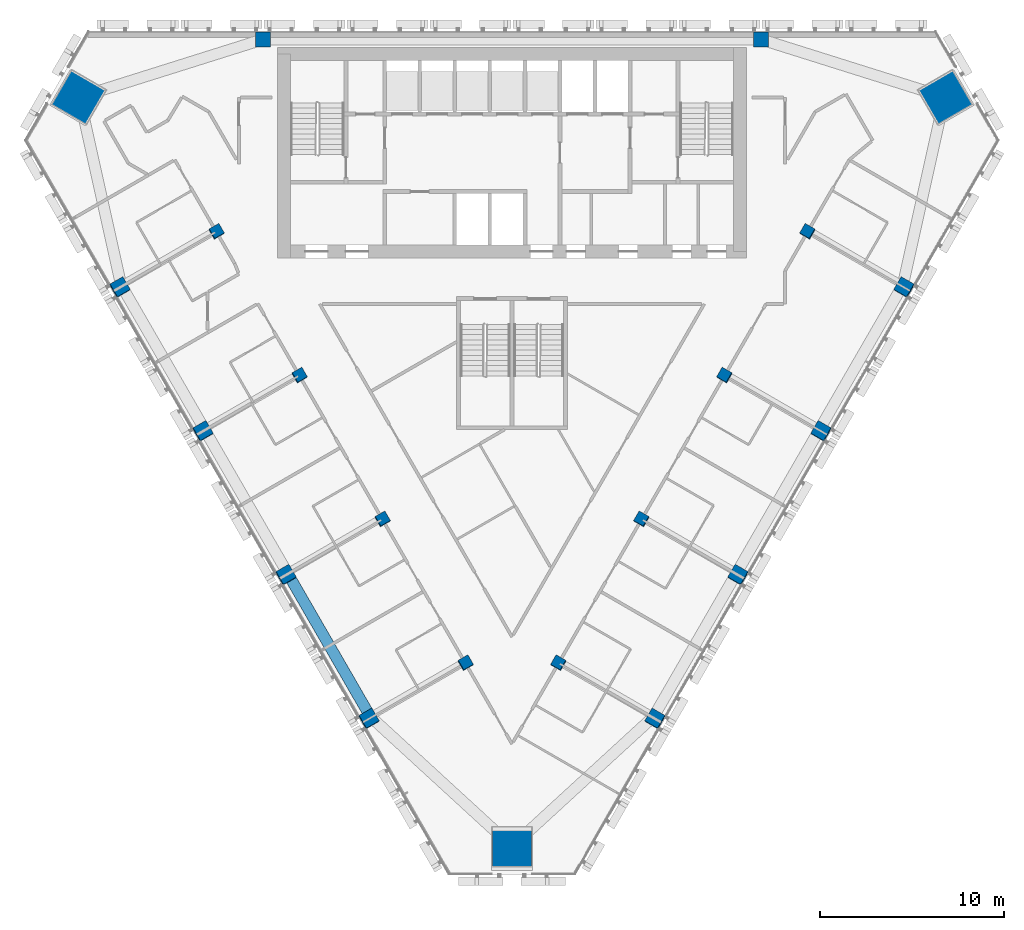
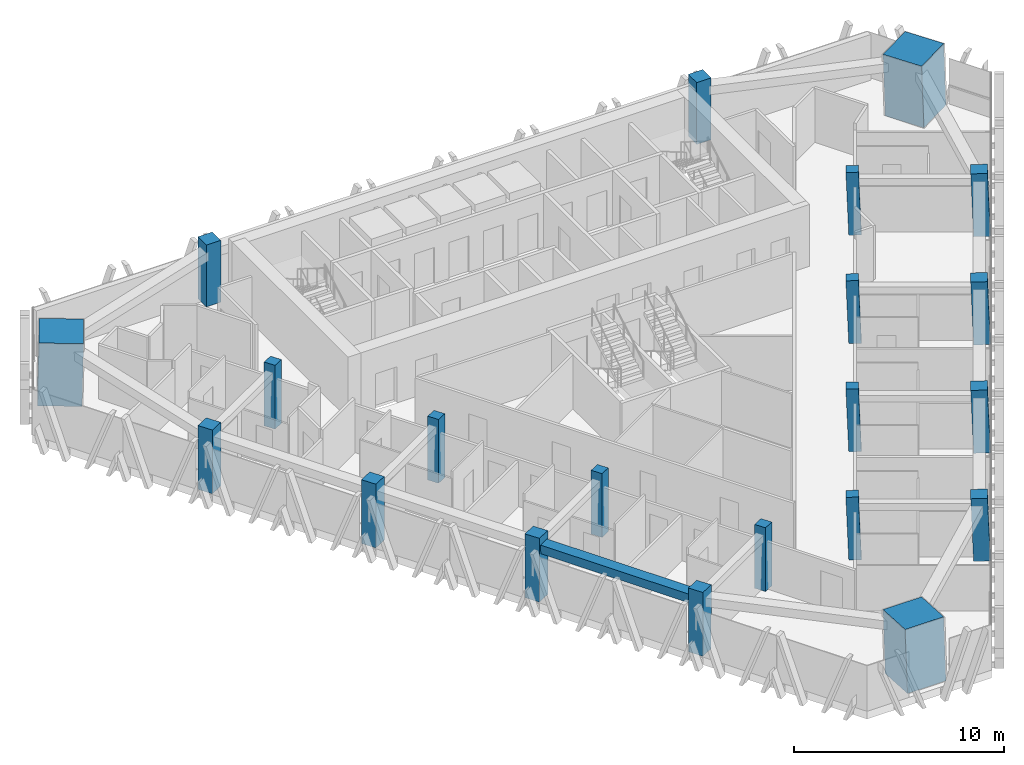
# One storey, part 1 of 16: 21 columns, 1 beam.
"""IFC4 building model written with IfcOpenShell, lengths in metres."""

import ifcopenshell
import ifcopenshell.guid

model = None  # the IFC model being written
_history = None  # IfcOwnerHistory: only IFC2X3 demands one
_inside = {}  # id of a spatial element -> (the spatial element, [elements in it])
_under = {}  # id of a project, library or spatial element -> (it, [spatial elements below it])
_declared = {}  # id of a project -> (the project, [libraries it declares])
_typed = {}  # id of a type object -> (the type object, [elements of that type])
_made_of = {}  # id of a material, layer set ... -> (it, [elements and type objects made of it])


def new_model(schema):
    """Start an empty IFC model of exactly this schema.

    Asked for "IFC4X3", IfcOpenShell would pick the latest addendum, in which some entities
    have other attributes; the version numbers below select the first issue.
    IFC2X3 requires an IfcOwnerHistory on every rooted entity: one is made here for all.
    """
    global model, _history
    if schema == "IFC4X3":
        model = ifcopenshell.file(schema_version=(4, 3, 0, 0))
    else:
        model = ifcopenshell.file(schema=schema)
    _inside.clear()
    _under.clear()
    _declared.clear()
    _typed.clear()
    _made_of.clear()
    _history = None
    if model.schema == "IFC2X3":
        org = make("IfcOrganization", Name="unknown")
        user = make(
            "IfcPersonAndOrganization",
            ThePerson=make("IfcPerson", FamilyName="unknown"),
            TheOrganization=org,
        )
        app = make(
            "IfcApplication",
            ApplicationDeveloper=org,
            Version="unknown",
            ApplicationFullName="unknown",
            ApplicationIdentifier="unknown",
        )
        _history = make(
            "IfcOwnerHistory",
            OwningUser=user,
            OwningApplication=app,
            ChangeAction="ADDED",
            CreationDate=0,
        )
    return model


def make(cls, **values):
    """One entity of the class cls with the attributes given. An attribute that is None is left unset."""
    return model.create_entity(
        cls, **{name: value for name, value in values.items() if value is not None}
    )


def rooted(cls, **values):
    """An entity with a GlobalId (a new one), such as an element, a storey or a relation."""
    return make(cls, GlobalId=ifcopenshell.guid.new(), OwnerHistory=_history, **values)


def si_unit(unit_type, name, prefix=None):
    """IfcSIUnit, for example si_unit("LENGTHUNIT", "METRE", prefix="MILLI")."""
    return make("IfcSIUnit", UnitType=unit_type, Prefix=prefix, Name=name)


def assignment(units):
    """IfcUnitAssignment: the units of a project."""
    return None if units is None else make("IfcUnitAssignment", Units=units)


def point(xyz):
    """IfcCartesianPoint."""
    return None if xyz is None else make("IfcCartesianPoint", Coordinates=xyz)


def direction(xyz):
    """IfcDirection."""
    return None if xyz is None else make("IfcDirection", DirectionRatios=xyz)


def frame(location, z_axis=None, x_axis=None):
    """IfcAxis2Placement3D, a coordinate frame: its origin and axes. An axis left out is left unset."""
    return make(
        "IfcAxis2Placement3D",
        Location=point(location),
        Axis=direction(z_axis),
        RefDirection=direction(x_axis),
    )


def frame_2d(location, x_axis=None):
    """IfcAxis2Placement2D, a coordinate frame in the plane: its origin and x axis."""
    return make(
        "IfcAxis2Placement2D", Location=point(location), RefDirection=direction(x_axis)
    )


def origin():
    """The frame at (0, 0, 0) with its axes left unset."""
    return frame((0.0, 0.0, 0.0))


def origin_2d():
    """The frame at (0, 0) in the plane with its x axis left unset."""
    return frame_2d((0.0, 0.0))


def place(relative_to, where):
    """IfcLocalPlacement: puts the frame where relative to a parent placement (None: the world)."""
    return make(
        "IfcLocalPlacement", PlacementRelTo=relative_to, RelativePlacement=where
    )


def context(
    kind, dimensions, precision=None, world=None, true_north=None, identifier=None
):
    """IfcGeometricRepresentationContext, for example the 3D "Model" context."""
    return make(
        "IfcGeometricRepresentationContext",
        ContextIdentifier=identifier,
        ContextType=kind,
        CoordinateSpaceDimension=dimensions,
        Precision=precision,
        WorldCoordinateSystem=world,
        TrueNorth=true_north,
    )


def subcontext(parent, identifier, kind, view, scale=None):
    """IfcGeometricRepresentationSubContext, for example "Body" below "Model"."""
    return make(
        "IfcGeometricRepresentationSubContext",
        ContextIdentifier=identifier,
        ContextType=kind,
        ParentContext=parent,
        TargetScale=scale,
        TargetView=view,
    )


def project(units=None, contexts=None):
    """IfcProject with its units and contexts."""
    return rooted(
        "IfcProject",
        Name="project",
        RepresentationContexts=contexts,
        UnitsInContext=assignment(units),
    )


def spatial(cls, under=None, at=None, **own):
    """A site, building, storey or space (cls), placed at a placement, below another one or the project."""
    s = rooted(cls, ObjectPlacement=at, **own)
    if under is not None:
        _under.setdefault(under.id(), (under, []))[1].append(s)
    return s


def profile(cls, at=None, kind="AREA", **sizes):
    """A parametric profile (cls). Its sizes go by their IFC names, for example OverallWidth=200.0."""
    return make(cls, ProfileType=kind, Position=at, **sizes)


def rectangle(**sizes):
    """IfcRectangleProfileDef."""
    return profile("IfcRectangleProfileDef", **sizes)


def extrude(swept, where, along, depth):
    """IfcExtrudedAreaSolid: the profile swept, set in the frame where, extruded along a direction by depth."""
    return make(
        "IfcExtrudedAreaSolid",
        SweptArea=swept,
        Position=where,
        ExtrudedDirection=direction(along),
        Depth=depth,
    )


def shape(context_of_items, identifier, shape_type, items):
    """IfcShapeRepresentation: the items that make up one representation, for example the "Body"."""
    return make(
        "IfcShapeRepresentation",
        ContextOfItems=context_of_items,
        RepresentationIdentifier=identifier,
        RepresentationType=shape_type,
        Items=items,
    )


def material(Name=None, Category=None):
    """IfcMaterial."""
    return make("IfcMaterial", Name=Name, Category=Category)


def material_profile(
    of_material, cross_section, Name=None, Category=None, Priority=None
):
    """IfcMaterialProfile: a cross section and its material."""
    return make(
        "IfcMaterialProfile",
        Name=Name,
        Material=of_material,
        Profile=cross_section,
        Priority=Priority,
        Category=Category,
    )


def profile_set(profiles, Name=None, composite=None):
    """IfcMaterialProfileSet."""
    return make(
        "IfcMaterialProfileSet",
        Name=Name,
        MaterialProfiles=profiles,
        CompositeProfile=composite,
    )


def made_of(thing, what):
    """Note that an element or type object is made of a material, layer set ...; save() writes the relation."""
    if what is not None:
        _made_of.setdefault(what.id(), (what, []))[1].append(thing)
    return thing


def type_object(cls, material=None, **own):
    """A type object (cls), such as IfcWallType, which elements share."""
    return made_of(rooted(cls, **own), material)


def element(
    cls,
    number,
    at=None,
    inside=None,
    cuts=None,
    type_object=None,
    material=None,
    context=None,
    identifier="Body",
    shape_type=None,
    held_by="IfcProductDefinitionShape",
    body=None,
    shapes=None,
    **own,
):
    """One element of the class cls, such as IfcWall. Its Tag is "e" and its number.

    at: its placement. inside: the storey or other place that contains it. cuts: it is an
    opening in that element (IfcRelVoidsElement). A single representation is given by context,
    identifier, shape_type and body (its items); several are given by shapes. held_by: the class
    of the entity that holds the representations. save() writes the other relations.
    """
    e = rooted(cls, Tag="e%d" % number, ObjectPlacement=at, **own)
    if body is not None:
        shapes = [shape(context, identifier, shape_type, body)]
    if shapes is not None:
        e.Representation = make(held_by, Representations=shapes)
    if inside is not None:
        _inside.setdefault(inside.id(), (inside, []))[1].append(e)
    if cuts is not None:
        rooted(
            "IfcRelVoidsElement", RelatingBuildingElement=cuts, RelatedOpeningElement=e
        )
    if type_object is not None:
        _typed.setdefault(type_object.id(), (type_object, []))[1].append(e)
    return made_of(e, material)


def aggregate(whole, parts):
    """IfcRelAggregates: a whole, such as a stair, and the parts it consists of."""
    return rooted("IfcRelAggregates", RelatingObject=whole, RelatedObjects=parts)


def save(model, path):
    """Write the relations noted so far, then the file.

    IfcRelAggregates (storeys below a building ...), IfcRelContainedInSpatialStructure (elements
    in a storey), IfcRelDefinesByType, IfcRelAssociatesMaterial and IfcRelDeclares: one each for
    every whole, place, type object, material and project.
    """
    for whole, parts in _under.values():
        aggregate(whole, parts)
    for where, things in _inside.values():
        rooted(
            "IfcRelContainedInSpatialStructure",
            RelatedElements=things,
            RelatingStructure=where,
        )
    for kind, things in _typed.values():
        rooted("IfcRelDefinesByType", RelatedObjects=things, RelatingType=kind)
    for what, things in _made_of.values():
        rooted("IfcRelAssociatesMaterial", RelatedObjects=things, RelatingMaterial=what)
    for by, libraries in _declared.values():
        rooted("IfcRelDeclares", RelatingContext=by, RelatedDefinitions=libraries)
    model.write(path)


model = new_model("IFC4")

# Units and contexts
model_context = context("Model", 3, precision=1e-05, world=origin(), true_north=direction((0.0, 1.0)))
body_context = subcontext(model_context, "Body", "Model", "MODEL_VIEW")
ifc_project = project(units=[si_unit("LENGTHUNIT", "METRE"), si_unit("AREAUNIT", "SQUARE_METRE"), si_unit("VOLUMEUNIT", "CUBIC_METRE"), si_unit("PLANEANGLEUNIT", "RADIAN"), si_unit("MASSUNIT", "GRAM", prefix="KILO")], contexts=[model_context])

# Site, building, storey
site_placement = place(None, origin())
site = spatial("IfcSite", under=ifc_project, at=site_placement, CompositionType="ELEMENT")
building_placement = place(site_placement, origin())
building = spatial("IfcBuilding", under=site, at=building_placement, Name="Altiplano Prism Tower", CompositionType="ELEMENT")
storey_placement = place(building_placement, frame((0.0, 0.0, 174.60009765625)))
storey = spatial("IfcBuildingStorey", under=building, at=storey_placement, Name="L45", CompositionType="ELEMENT", Elevation=174.60009765625)

# Columns
ifc_material_1 = material(Name="Concrete C60/75", Category="concrete")
ifc_material_profile_1 = material_profile(ifc_material_1, rectangle(XDim=0.60009765625, YDim=0.60009765625, at=origin_2d()), Name="Inner column 600")
ifc_profile_set_1 = profile_set([ifc_material_profile_1], Name="Concrete C60/75")
column_type_1 = type_object("IfcColumnType", Name="Inner column 600", PredefinedType="COLUMN", material=ifc_profile_set_1)
for number, where, z_axis, x_axis, name in (
    (1, (68.9716796875, 94.12109375, -0.018310546875), (0.022221406801, 0.038413224561, 0.999014831351), (-0.866025617206, -0.498520426688, 0.038431946587), "Inner column I11 L45"),
    (2, (73.4716796875, 86.326904296875, -0.018310546875), (0.022221406801, 0.038413224561, 0.999014831351), (-0.866024056676, -0.498523132273, 0.038432015909), "Inner column I12 L45"),
    (3, (77.9716796875, 78.532470703125, -0.018310546875), (0.02222134892, 0.038480872521, 0.999012229206), (-0.865639410047, -0.499186822153, 0.038482832055), "Inner column I13 L45"),
    (4, (82.4716796875, 70.73828125, -0.018310546875), (0.02222134892, 0.038480872521, 0.999012229206), (-0.865637856157, -0.49918951142, 0.038482901079), "Inner column I14 L45"),
    (5, (87.5283203125, 70.73828125, -0.018310546875), (-0.02222134892, 0.038480872521, 0.999012229206), (-0.500177282211, -0.865637946337, 0.022217835681), "Inner column I21 L45"),
    (6, (92.0283203125, 78.532470703125, -0.018310546875), (-0.02222134892, 0.038480872521, 0.999012229206), (-0.500174592943, -0.865639497158, 0.022217955235), "Inner column I22 L45"),
    (7, (96.5283203125, 86.326904296875, -0.018310546875), (-0.022221406801, 0.038413224561, 0.999014831351), (-0.499508300569, -0.866024890386, 0.022188891243), "Inner column I23 L45"),
    (8, (101.0283203125, 94.12109375, -0.018310546875), (-0.022221406801, 0.038413224561, 0.999014831351), (-0.499505594987, -0.866026447837, 0.022189011309), "Inner column I24 L45"),
):
    element("IfcColumn", number, at=place(storey_placement, frame(where, z_axis=z_axis, x_axis=x_axis)), inside=storey, type_object=column_type_1, Name=name, PredefinedType="COLUMN", context=body_context, shape_type="SweptSolid", body=[
        extrude(rectangle(XDim=0.60009765625, YDim=0.60009765625, at=origin_2d()), origin(), (0.0, 0.0, 1.0), 3.603759765625),
    ])
ifc_material_2 = material(Name="Concrete C70/85", Category="concrete")
ifc_material_profile_2 = material_profile(ifc_material_2, rectangle(XDim=2.1201171875, YDim=2.1201171875, at=origin_2d()), Name="Mega column infill 2200")
ifc_profile_set_2 = profile_set([ifc_material_profile_2], Name="Concrete C70/85")
column_type_2 = type_object("IfcColumnType", Name="Mega column infill 2200", PredefinedType="COLUMN", material=ifc_profile_set_2)
column_1_placement = place(storey_placement, frame((61.445068359375, 101.386474609375, 0.0), z_axis=(0.028403739082, 0.009219352065, 0.999554016126), x_axis=(-0.865118529183, 0.501170118188, 0.019961039515)))
element("IfcColumn", 9, at=column_1_placement, inside=storey, type_object=column_type_2, Name="Mega column M0 L45", PredefinedType="COLUMN", context=body_context, shape_type="SweptSolid", body=[
    extrude(rectangle(XDim=2.1201171875, YDim=2.1201171875, at=origin_2d()), origin(), (0.0, 0.0, 1.0), 3.6015625),
])
column_2_placement = place(storey_placement, frame((85.0, 60.588134765625, 0.0), z_axis=(0.0, 0.058360852261, 0.998295552892), x_axis=(-1.0, 0.0, 0.0)))
element("IfcColumn", 10, at=column_2_placement, inside=storey, type_object=column_type_2, Name="Mega column M1 L45", PredefinedType="COLUMN", context=body_context, shape_type="SweptSolid", body=[
    extrude(rectangle(XDim=2.1201171875, YDim=2.1201171875, at=origin_2d()), origin(), (0.0, 0.0, 1.0), 3.60595703125),
])
column_3_placement = place(storey_placement, frame((108.554931640625, 101.386474609375, 0.0), z_axis=(-0.028403739082, 0.009219352065, 0.999554016126), x_axis=(0.500767574362, -0.865296773134, 0.022211052886)))
element("IfcColumn", 11, at=column_3_placement, inside=storey, type_object=column_type_2, Name="Mega column M2 L45", PredefinedType="COLUMN", context=body_context, shape_type="SweptSolid", body=[
    extrude(rectangle(XDim=2.1201171875, YDim=2.1201171875, at=origin_2d()), origin(), (0.0, 0.0, 1.0), 3.6015625),
])
ifc_material_profile_3 = material_profile(ifc_material_1, rectangle(XDim=0.800048828125, YDim=0.800048828125, at=origin_2d()), Name="Perimeter column 800")
ifc_profile_set_3 = profile_set([ifc_material_profile_3], Name="Concrete C60/75")
column_type_3 = type_object("IfcColumnType", Name="Perimeter column 800", PredefinedType="COLUMN", material=ifc_profile_set_3)
for number, where, z_axis, x_axis, name in (
    (12, (98.5, 104.550048828125, 0.0), (0.0, 0.0, 1.0), (1.0, 0.0, 0.0), "Perimeter column P01 L45"),
    (13, (71.5, 104.550048828125, 0.0), (0.0, 0.0, 1.0), (1.0, 0.0, 0.0), "Perimeter column P04 L45"),
):
    element("IfcColumn", number, at=place(storey_placement, frame(where, z_axis=z_axis, x_axis=x_axis)), inside=storey, type_object=column_type_3, Name=name, PredefinedType="COLUMN", context=body_context, shape_type="SweptSolid", body=[
        extrude(rectangle(XDim=0.800048828125, YDim=0.800048828125, at=origin_2d()), origin(), (0.0, 0.0, 1.0), 3.599853515625),
    ])
for number, where, z_axis, x_axis, name in (
    (14, (63.732177734375, 91.095703125, -0.0244140625), (0.02222134892, 0.038480872521, 0.999012229206), (-0.865643643917, -0.499179494629, 0.038482643982), "Perimeter column P11 L45"),
    (15, (68.232177734375, 83.301513671875, -0.0244140625), (0.02222134892, 0.038480872521, 0.999012229206), (-0.86564209005, -0.49918218391, 0.038482713007), "Perimeter column P12 L45"),
    (16, (72.732177734375, 75.50732421875, -0.0244140625), (0.02222134892, 0.038480872521, 0.999012229206), (-0.865639418776, -0.499186807044, 0.038482831667), "Perimeter column P13 L45"),
    (17, (77.232177734375, 67.713134765625, -0.0244140625), (0.022221406801, 0.038413224561, 0.999014831351), (-0.866019837102, -0.498530447908, 0.038432203346), "Perimeter column P14 L45"),
    (18, (92.767822265625, 67.713134765625, -0.0244140625), (-0.022221406801, 0.038413224561, 0.999014831351), (-0.499515616198, -0.866020679134, 0.022188566591), "Perimeter column P21 L45"),
    (19, (97.267822265625, 75.50732421875, -0.0244140625), (-0.02222134892, 0.038480872521, 0.999012229206), (-0.500174577835, -0.86563950587, 0.022217955907), "Perimeter column P22 L45"),
    (20, (101.767822265625, 83.301513671875, -0.0244140625), (-0.02222134892, 0.038480872521, 0.999012229206), (-0.500169954701, -0.865642171868, 0.022218161432), "Perimeter column P23 L45"),
    (21, (106.267822265625, 91.095703125, -0.0244140625), (-0.02222134892, 0.038480872521, 0.999012229206), (-0.50016726542, -0.865643722667, 0.022218280986), "Perimeter column P24 L45"),
):
    element("IfcColumn", number, at=place(storey_placement, frame(where, z_axis=z_axis, x_axis=x_axis)), inside=storey, type_object=column_type_3, Name=name, PredefinedType="COLUMN", context=body_context, shape_type="SweptSolid", body=[
        extrude(rectangle(XDim=0.800048828125, YDim=0.800048828125, at=origin_2d()), origin(), (0.0, 0.0, 1.0), 3.603759765625),
    ])

# Beam
ifc_material_profile_4 = material_profile(ifc_material_1, rectangle(XDim=0.60009765625, YDim=0.5, at=origin_2d()), Name="Edge beam 600x500")
ifc_profile_set_4 = profile_set([ifc_material_profile_4], Name="Concrete C60/75")
beam_type = type_object("IfcBeamType", Name="Edge beam 600x500", PredefinedType="SPANDREL", material=ifc_profile_set_4)
beam_placement = place(storey_placement, frame((72.95263671875, 75.404296875, 2.89990234375), z_axis=(0.500015409341, -0.866016507015, 0.0), x_axis=(0.866016507015, 0.500015409341, 0.0)))
element("IfcBeam", 22, at=beam_placement, inside=storey, type_object=beam_type, Name="Edge beam P13-P14 L46", PredefinedType="SPANDREL", context=body_context, shape_type="SweptSolid", body=[
    extrude(rectangle(XDim=0.60009765625, YDim=0.5, at=origin_2d()), origin(), (0.0, 0.0, 1.0), 8.440185546875),
])

save(model, "model.ifc")
